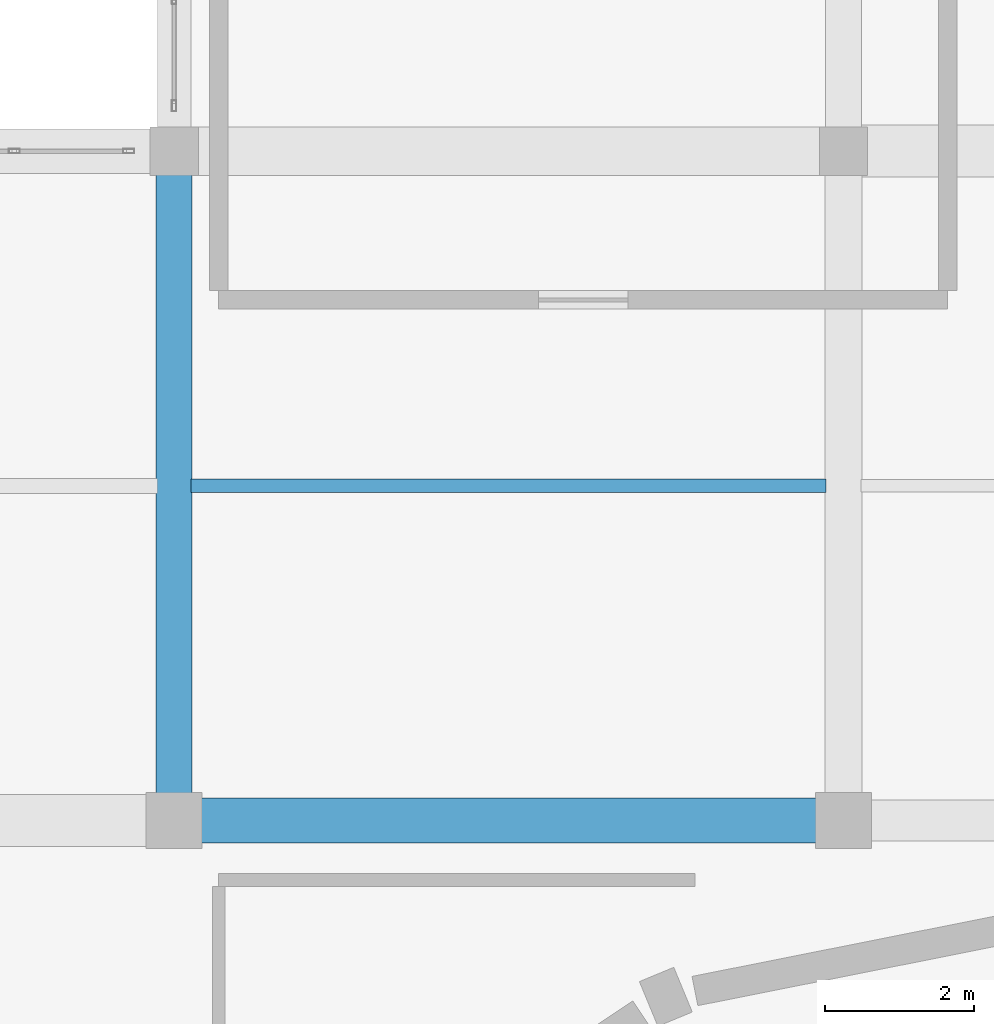
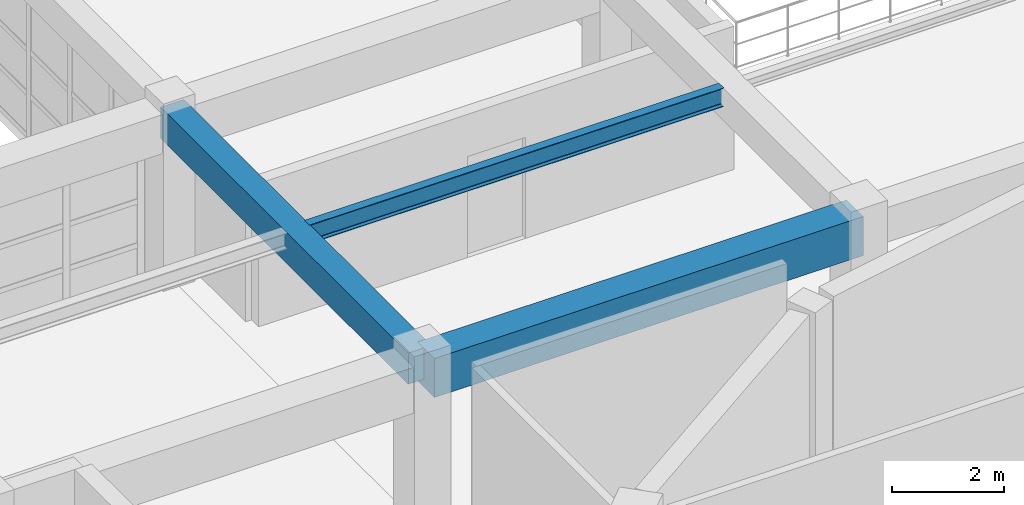
# One storey, part 53 of 130: 3 beams.
"""IFC4 building model written with IfcOpenShell, lengths in metres."""

from ifc_helpers import new_model, si_unit, direction, frame, origin, origin_2d, place, context, subcontext, project, spatial, rectangle, i_section, extrude, material, material_profile, profile_set, type_object, element, save


model = new_model("IFC4")

# Units and contexts
model_context = context("Model", 3, precision=1e-05, world=origin(), true_north=direction((0.0, 1.0)))
body_context = subcontext(model_context, "Body", "Model", "MODEL_VIEW")
ifc_project = project(units=[si_unit("LENGTHUNIT", "METRE"), si_unit("AREAUNIT", "SQUARE_METRE"), si_unit("VOLUMEUNIT", "CUBIC_METRE"), si_unit("PLANEANGLEUNIT", "RADIAN"), si_unit("MASSUNIT", "GRAM", prefix="KILO")], contexts=[model_context])

# Site, building, storey
site_placement = place(None, origin())
site = spatial("IfcSite", under=ifc_project, at=site_placement, CompositionType="ELEMENT")
building_placement = place(site_placement, origin())
building = spatial("IfcBuilding", under=site, at=building_placement, Name="Miravela Opera House", CompositionType="ELEMENT")
storey_placement = place(building_placement, frame((0.0, 0.0, 9.52001953125)))
storey = spatial("IfcBuildingStorey", under=building, at=storey_placement, Name="L02", CompositionType="ELEMENT", Elevation=9.52001953125)

# Beams
ifc_material_1 = material(Name="Concrete C35/45", Category="concrete")
ifc_material_profile_1 = material_profile(ifc_material_1, rectangle(XDim=0.47998046875, YDim=0.679931640625, at=origin_2d()), Name="RC-BM-480X680")
ifc_profile_set_1 = profile_set([ifc_material_profile_1])
beam_type_1 = type_object("IfcBeamType", Name="STR-BM-RC480X680", PredefinedType="BEAM", material=ifc_profile_set_1)
beam_1_placement = place(storey_placement, frame((63.0, 75.080078125, 3.5), z_axis=(0.0, 1.0, 0.0), x_axis=(-1.0, 0.0, 0.0)))
element("IfcBeam", 1, at=beam_1_placement, inside=storey, type_object=beam_type_1, Name="Floor Girder L02 8/I-J", PredefinedType="BEAM", context=body_context, shape_type="SweptSolid", body=[
    extrude(rectangle(XDim=0.47998046875, YDim=0.679931640625, at=origin_2d()), origin(), (0.0, 0.0, 1.0), 8.83984375),
])
ifc_material_2 = material(Name="Concrete C40/50", Category="concrete")
ifc_material_profile_2 = material_profile(ifc_material_2, rectangle(XDim=0.60009765625, YDim=0.85009765625, at=origin_2d()), Name="RC-BM-600X850")
ifc_profile_set_2 = profile_set([ifc_material_profile_2])
beam_type_2 = type_object("IfcBeamType", Name="STR-BM-RC600X850", PredefinedType="BEAM", material=ifc_profile_set_2)
beam_2_placement = place(storey_placement, frame((63.080078125, 75.0, 3.4150390625), z_axis=(1.0, 0.0, 0.0), x_axis=(0.0, 1.0, 0.0)))
element("IfcBeam", 2, at=beam_2_placement, inside=storey, type_object=beam_type_2, Name="Floor Girder L02 8-9/I", PredefinedType="BEAM", context=body_context, shape_type="SweptSolid", body=[
    extrude(rectangle(XDim=0.60009765625, YDim=0.85009765625, at=origin_2d()), origin(), (0.0, 0.0, 1.0), 8.83984375),
])
ifc_material_3 = material(Name="Structural steel ASTM A992 Gr. 50", Category="steel")
ifc_material_profile_3 = material_profile(ifc_material_3, i_section(OverallWidth=0.177978515625, OverallDepth=0.406982421875, WebThickness=0.0078125, FlangeThickness=0.0126953125, FilletRadius=0.012939453125, at=origin_2d()), Name="W410X60")
ifc_profile_set_3 = profile_set([ifc_material_profile_3])
beam_type_3 = type_object("IfcBeamType", Name="STR-BM-W410X60", PredefinedType="JOIST", material=ifc_profile_set_3)
beam_3_placement = place(storey_placement, frame((63.22509765625, 79.5, 3.636474609375), z_axis=(1.0, 0.0, 0.0), x_axis=(0.0, 1.0, 0.0)))
element("IfcBeam", 3, at=beam_3_placement, inside=storey, type_object=beam_type_3, Name="Secondary Floor Joist L02 8-9/I-J", PredefinedType="JOIST", context=body_context, shape_type="SweptSolid", body=[
    extrude(i_section(OverallWidth=0.177978515625, OverallDepth=0.406982421875, WebThickness=0.0078125, FlangeThickness=0.0126953125, FilletRadius=0.012939453125, at=origin_2d()), origin(), (0.0, 0.0, 1.0), 8.539794921875),
])

save(model, "model.ifc")
